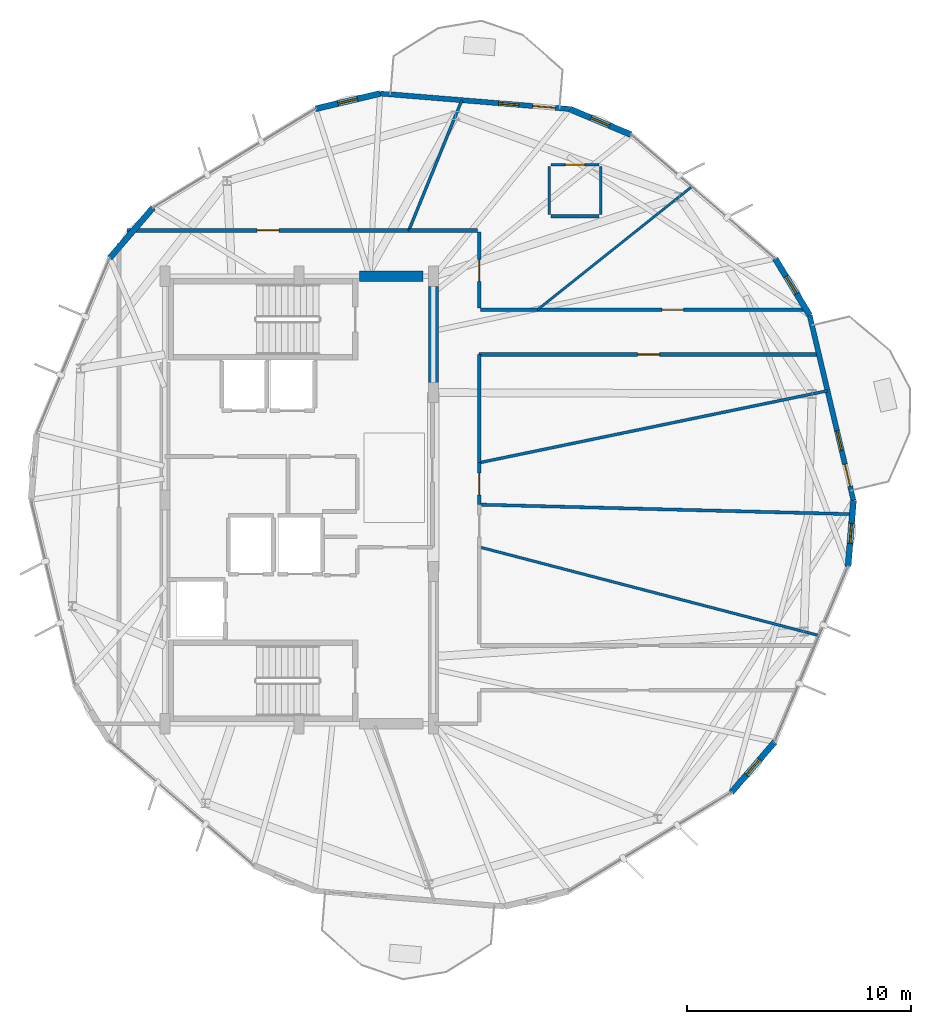
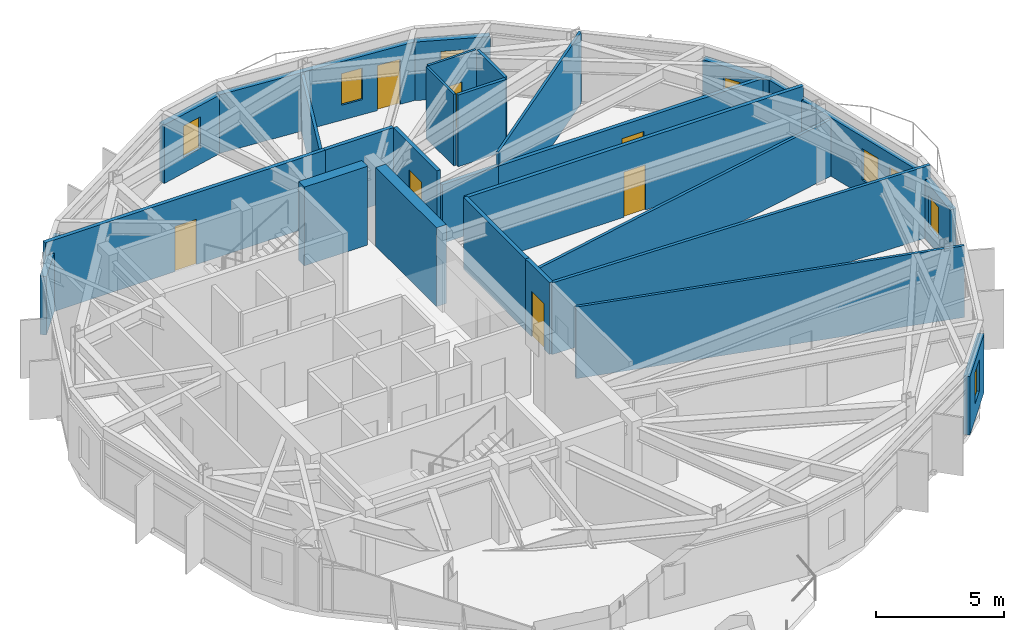
# One storey, part 19 of 23: 27 walls, 8 doors, 7 windows, 15 openings.
"""IFC4 building model written with IfcOpenShell, lengths in metres."""

from ifc_helpers import new_model, si_unit, direction, frame, frame_2d, origin, place, context, subcontext, project, spatial, rectangle, extrude, material, layer, layer_set, type_object, element, fill, save


model = new_model("IFC4")

# Units and contexts
model_context = context("Model", 3, precision=1e-05, world=origin(), true_north=direction((0.0, 1.0)))
body_context = subcontext(model_context, "Body", "Model", "MODEL_VIEW")
ifc_project = project(units=[si_unit("LENGTHUNIT", "METRE"), si_unit("AREAUNIT", "SQUARE_METRE"), si_unit("VOLUMEUNIT", "CUBIC_METRE"), si_unit("PLANEANGLEUNIT", "RADIAN"), si_unit("MASSUNIT", "GRAM", prefix="KILO")], contexts=[model_context])

# Site, building, storey
site_placement = place(None, origin())
site = spatial("IfcSite", under=ifc_project, at=site_placement, CompositionType="ELEMENT")
building_placement = place(site_placement, origin())
building = spatial("IfcBuilding", under=site, at=building_placement, Name="Soratama Intermodal Tower", CompositionType="ELEMENT")
storey_placement = place(building_placement, frame((0.0, 0.0, 280.0)))
storey = spatial("IfcBuildingStorey", under=building, at=storey_placement, Name="L71", CompositionType="ELEMENT", Elevation=280.0)

# Wall, openings, door, window
ifc_material_1 = material(Name="Concrete f'c 42 MPa", Category="concrete")
ifc_layer_1 = layer(ifc_material_1, 0.22998046875)
ifc_layer_set_1 = layer_set([ifc_layer_1], Name="Concrete f'c 42 MPa")
wall_type_1 = type_object("IfcWallType", Name="EW-BAL-230", PredefinedType="SOLIDWALL", material=ifc_layer_set_1)
wall_1_placement = place(storey_placement, frame((50.694580078125, 42.473388671875, 0.0), z_axis=(0.0, 0.0, 1.0), x_axis=(-0.996664954759, 0.081602499682, 0.0)))
wall_1 = element("IfcWall", 1, at=wall_1_placement, inside=storey, type_object=wall_type_1, Name="L71 Terrace Wall F01", PredefinedType="SOLIDWALL", context=body_context, shape_type="SweptSolid", body=[
    extrude(rectangle(XDim=8.499755859375, YDim=0.22998046875, at=frame_2d((4.25, 0.0))), origin(), (0.0, 0.0, 1.0), 2.7890625),
])
opening_1_placement = place(wall_1_placement, frame((0.64990234375, 0.0, 0.0)))
opening_1 = element("IfcOpeningElement", 2, at=opening_1_placement, cuts=wall_1, Name="Opening ED-2", PredefinedType="OPENING", context=body_context, shape_type="SweptSolid", body=[
    extrude(rectangle(XDim=1.0, YDim=2.14990234375, at=frame_2d((0.5, 1.074951171875))), frame((0.0, 0.125, 0.0), z_axis=(0.0, -1.0, 0.0), x_axis=(1.0, 0.0, 0.0)), (0.0, 0.0, 1.0), 0.25),
])
opening_2_placement = place(wall_1_placement, frame((2.2900390625, 0.0, 0.719970703125)))
opening_2 = element("IfcOpeningElement", 3, at=opening_2_placement, cuts=wall_1, Name="Opening WN-6", PredefinedType="OPENING", context=body_context, shape_type="SweptSolid", body=[
    extrude(rectangle(XDim=0.89990234375, YDim=1.5, at=frame_2d((0.449951171875, 0.75))), frame((0.0, 0.125, 0.0), z_axis=(0.0, -1.0, 0.0), x_axis=(1.0, 0.0, 0.0)), (0.0, 0.0, 1.0), 0.25),
])
ifc_material_2 = material(Name="Double-glazed aluminium door", Category="aluminium")
door_type_1 = type_object("IfcDoorType", Name="DR-BAL-1000", OperationType="NOTDEFINED", PredefinedType="DOOR", material=ifc_material_2)
door_1_placement = place(opening_1_placement, origin())
door_1 = element("IfcDoor", 4, at=door_1_placement, inside=storey, type_object=door_type_1, Name="L71 Balcony Door F01", OperationType="SINGLE_SWING_LEFT", OverallHeight=2.14990234375, OverallWidth=1.0, PredefinedType="DOOR", context=body_context, shape_type="SweptSolid", body=[
    extrude(rectangle(XDim=1.0, YDim=2.14990234375, at=frame_2d((0.5, 1.074951171875))), frame((0.0, 0.02490234375, 0.0), z_axis=(0.0, -1.0, 0.0), x_axis=(1.0, 0.0, 0.0)), (0.0, 0.0, 1.0), 0.050048828125),
])
fill(opening_1, door_1)
ifc_material_3 = material(Name="Double-glazed aluminium window", Category="aluminium")
window_type = type_object("IfcWindowType", Name="WN-FAC-900", PartitioningType="SINGLE_PANEL", PredefinedType="WINDOW", material=ifc_material_3)
window_1_placement = place(opening_2_placement, origin())
window_1 = element("IfcWindow", 5, at=window_1_placement, inside=storey, type_object=window_type, Name="L71 Window B F01", OverallHeight=1.5, OverallWidth=0.89990234375, PartitioningType="SINGLE_PANEL", PredefinedType="WINDOW", context=body_context, shape_type="SweptSolid", body=[
    extrude(rectangle(XDim=0.89990234375, YDim=1.5, at=frame_2d((0.449951171875, 0.75))), frame((0.0, 0.030029296875, 0.0), z_axis=(0.0, -1.0, 0.0), x_axis=(1.0, 0.0, 0.0)), (0.0, 0.0, 1.0), 0.06005859375),
])
fill(opening_2, window_1)

wall_2_placement = place(storey_placement, frame((63.3779296875, 24.98388671875, 0.0), z_axis=(0.0, 0.0, 1.0), x_axis=(-0.230391946718, 0.973097914337, 0.0)))
wall_2 = element("IfcWall", 6, at=wall_2_placement, inside=storey, type_object=wall_type_1, Name="L71 Terrace Wall F09", PredefinedType="SOLIDWALL", context=body_context, shape_type="SweptSolid", body=[
    extrude(rectangle(XDim=8.499755859375, YDim=0.22998046875, at=frame_2d((4.25, 0.0))), origin(), (0.0, 0.0, 1.0), 2.7890625),
])
opening_3_placement = place(wall_2_placement, frame((0.64990234375, 0.0, 0.0)))
opening_3 = element("IfcOpeningElement", 7, at=opening_3_placement, cuts=wall_2, Name="Opening ED-2", PredefinedType="OPENING", context=body_context, shape_type="SweptSolid", body=[
    extrude(rectangle(XDim=1.0, YDim=2.14990234375, at=frame_2d((0.5, 1.074951171875))), frame((0.0, 0.125, 0.0), z_axis=(0.0, -1.0, 0.0), x_axis=(1.0, 0.0, 0.0)), (0.0, 0.0, 1.0), 0.25),
])
opening_4_placement = place(wall_2_placement, frame((2.2900390625, 0.0, 0.719970703125)))
opening_4 = element("IfcOpeningElement", 8, at=opening_4_placement, cuts=wall_2, Name="Opening WN-6", PredefinedType="OPENING", context=body_context, shape_type="SweptSolid", body=[
    extrude(rectangle(XDim=0.89990234375, YDim=1.5, at=frame_2d((0.449951171875, 0.75))), frame((0.0, 0.125, 0.0), z_axis=(0.0, -1.0, 0.0), x_axis=(1.0, 0.0, 0.0)), (0.0, 0.0, 1.0), 0.25),
])
door_2_placement = place(opening_3_placement, origin())
door_2 = element("IfcDoor", 9, at=door_2_placement, inside=storey, type_object=door_type_1, Name="L71 Balcony Door F09", OperationType="SINGLE_SWING_LEFT", OverallHeight=2.14990234375, OverallWidth=1.0, PredefinedType="DOOR", context=body_context, shape_type="SweptSolid", body=[
    extrude(rectangle(XDim=1.0, YDim=2.14990234375, at=frame_2d((0.5, 1.074951171875))), frame((0.0, 0.02490234375, 0.0), z_axis=(0.0, -1.0, 0.0), x_axis=(1.0, 0.0, 0.0)), (0.0, 0.0, 1.0), 0.050048828125),
])
fill(opening_3, door_2)
window_2_placement = place(opening_4_placement, origin())
window_2 = element("IfcWindow", 10, at=window_2_placement, inside=storey, type_object=window_type, Name="L71 Window B F09", OverallHeight=1.5, OverallWidth=0.89990234375, PartitioningType="SINGLE_PANEL", PredefinedType="WINDOW", context=body_context, shape_type="SweptSolid", body=[
    extrude(rectangle(XDim=0.89990234375, YDim=1.5, at=frame_2d((0.449951171875, 0.75))), frame((0.0, 0.030029296875, 0.0), z_axis=(0.0, -1.0, 0.0), x_axis=(1.0, 0.0, 0.0)), (0.0, 0.0, 1.0), 0.06005859375),
])
fill(opening_4, window_2)

# Wall, opening, window
ifc_material_4 = material(Name="Concrete f'c 42 MPa", Category="concrete")
ifc_layer_2 = layer(ifc_material_4, 0.27001953125)
ifc_layer_set_2 = layer_set([ifc_layer_2], Name="Concrete f'c 42 MPa")
wall_type_2 = type_object("IfcWallType", Name="EW-CRN-270", PredefinedType="SOLIDWALL", material=ifc_layer_set_2)
wall_3_placement = place(storey_placement, frame((42.22314453125, 43.1669921875, 0.0), z_axis=(0.0, 0.0, 1.0), x_axis=(-0.973092427452, -0.230415120242, 0.0)))
wall_3 = element("IfcWall", 11, at=wall_3_placement, inside=storey, type_object=wall_type_2, Name="L71 Corner Closure Wall 01", PredefinedType="SOLIDWALL", context=body_context, shape_type="SweptSolid", body=[
    extrude(rectangle(XDim=2.966796875, YDim=0.27001953125, at=frame_2d((1.4833984375, 0.0))), origin(), (0.0, 0.0, 1.0), 2.7890625),
])
opening_5_placement = place(wall_3_placement, frame((1.033203125, 0.0, 0.75)))
opening_5 = element("IfcOpeningElement", 12, at=opening_5_placement, cuts=wall_3, Name="Opening WN-6", PredefinedType="OPENING", context=body_context, shape_type="SweptSolid", body=[
    extrude(rectangle(XDim=0.89990234375, YDim=1.5, at=frame_2d((0.449951171875, 0.75))), frame((0.0, 0.14501953125, 0.0), z_axis=(0.0, -1.0, 0.0), x_axis=(1.0, 0.0, 0.0)), (0.0, 0.0, 1.0), 0.2900390625),
])
window_3_placement = place(opening_5_placement, origin())
window_3 = element("IfcWindow", 13, at=window_3_placement, inside=storey, type_object=window_type, Name="L71 Corner Window 01", OverallHeight=1.5, OverallWidth=0.89990234375, PartitioningType="SINGLE_PANEL", PredefinedType="WINDOW", context=body_context, shape_type="SweptSolid", body=[
    extrude(rectangle(XDim=0.89990234375, YDim=1.5, at=frame_2d((0.449951171875, 0.75))), frame((0.0, 0.030029296875, 0.0), z_axis=(0.0, -1.0, 0.0), x_axis=(1.0, 0.0, 0.0)), (0.0, 0.0, 1.0), 0.06005859375),
])
fill(opening_5, window_3)

# Wall
wall_4_placement = place(storey_placement, frame((32.0751953125, 38.065185546875, 0.0), z_axis=(0.0, 0.0, 1.0), x_axis=(-0.651854753915, -0.758343840087, 0.0)))
element("IfcWall", 14, at=wall_4_placement, inside=storey, type_object=wall_type_2, Name="L71 Corner Closure Wall 02", PredefinedType="SOLIDWALL", context=body_context, shape_type="SweptSolid", body=[
    extrude(rectangle(XDim=2.966552734375, YDim=0.27001953125, at=frame_2d((1.4833984375, 0.0))), origin(), (0.0, 0.0, 1.0), 2.7890625),
])

# Wall, opening, window
wall_5_placement = place(storey_placement, frame((57.9248046875, 11.934814453125, 0.0), z_axis=(0.0, 0.0, 1.0), x_axis=(0.651854753915, 0.758343840087, 0.0)))
wall_5 = element("IfcWall", 15, at=wall_5_placement, inside=storey, type_object=wall_type_2, Name="L71 Corner Closure Wall 07", PredefinedType="SOLIDWALL", context=body_context, shape_type="SweptSolid", body=[
    extrude(rectangle(XDim=2.966552734375, YDim=0.27001953125, at=frame_2d((1.4833984375, 0.0))), origin(), (0.0, 0.0, 1.0), 2.7890625),
])
opening_6_placement = place(wall_5_placement, frame((1.033203125, 0.0, 0.75)))
opening_6 = element("IfcOpeningElement", 16, at=opening_6_placement, cuts=wall_5, Name="Opening WN-6", PredefinedType="OPENING", context=body_context, shape_type="SweptSolid", body=[
    extrude(rectangle(XDim=0.89990234375, YDim=1.5, at=frame_2d((0.449951171875, 0.75))), frame((0.0, 0.14501953125, 0.0), z_axis=(0.0, -1.0, 0.0), x_axis=(1.0, 0.0, 0.0)), (0.0, 0.0, 1.0), 0.2900390625),
])
window_4_placement = place(opening_6_placement, origin())
window_4 = element("IfcWindow", 17, at=window_4_placement, inside=storey, type_object=window_type, Name="L71 Corner Window 07", OverallHeight=1.5, OverallWidth=0.89990234375, PartitioningType="SINGLE_PANEL", PredefinedType="WINDOW", context=body_context, shape_type="SweptSolid", body=[
    extrude(rectangle(XDim=0.89990234375, YDim=1.5, at=frame_2d((0.449951171875, 0.75))), frame((0.0, 0.030029296875, 0.0), z_axis=(0.0, -1.0, 0.0), x_axis=(1.0, 0.0, 0.0)), (0.0, 0.0, 1.0), 0.06005859375),
])
fill(opening_6, window_4)

wall_6_placement = place(storey_placement, frame((63.135986328125, 22.027099609375, 0.0), z_axis=(0.0, 0.0, 1.0), x_axis=(0.081553869603, 0.99666893518, 0.0)))
wall_6 = element("IfcWall", 18, at=wall_6_placement, inside=storey, type_object=wall_type_2, Name="L71 Corner Closure Wall 08", PredefinedType="SOLIDWALL", context=body_context, shape_type="SweptSolid", body=[
    extrude(rectangle(XDim=2.966552734375, YDim=0.27001953125, at=frame_2d((1.4833984375, 0.0))), origin(), (0.0, 0.0, 1.0), 2.7890625),
])
opening_7_placement = place(wall_6_placement, frame((1.033203125, 0.0, 0.75)))
opening_7 = element("IfcOpeningElement", 19, at=opening_7_placement, cuts=wall_6, Name="Opening WN-6", PredefinedType="OPENING", context=body_context, shape_type="SweptSolid", body=[
    extrude(rectangle(XDim=0.89990234375, YDim=1.5, at=frame_2d((0.449951171875, 0.75))), frame((0.0, 0.14501953125, 0.0), z_axis=(0.0, -1.0, 0.0), x_axis=(1.0, 0.0, 0.0)), (0.0, 0.0, 1.0), 0.2900390625),
])
window_5_placement = place(opening_7_placement, origin())
window_5 = element("IfcWindow", 20, at=window_5_placement, inside=storey, type_object=window_type, Name="L71 Corner Window 08", OverallHeight=1.5, OverallWidth=0.89990234375, PartitioningType="SINGLE_PANEL", PredefinedType="WINDOW", context=body_context, shape_type="SweptSolid", body=[
    extrude(rectangle(XDim=0.89990234375, YDim=1.5, at=frame_2d((0.449951171875, 0.75))), frame((0.0, 0.030029296875, 0.0), z_axis=(0.0, -1.0, 0.0), x_axis=(1.0, 0.0, 0.0)), (0.0, 0.0, 1.0), 0.06005859375),
])
fill(opening_7, window_5)

wall_7_placement = place(storey_placement, frame((61.419677734375, 33.2548828125, 0.0), z_axis=(0.0, 0.0, 1.0), x_axis=(-0.51977462781, 0.854303421675, 0.0)))
wall_7 = element("IfcWall", 21, at=wall_7_placement, inside=storey, type_object=wall_type_2, Name="L71 Corner Closure Wall 09", PredefinedType="SOLIDWALL", context=body_context, shape_type="SweptSolid", body=[
    extrude(rectangle(XDim=2.966552734375, YDim=0.27001953125, at=frame_2d((1.4833984375, 0.0))), origin(), (0.0, 0.0, 1.0), 2.7890625),
])
opening_8_placement = place(wall_7_placement, frame((1.130615234375, 0.0, 0.75)))
opening_8 = element("IfcOpeningElement", 22, at=opening_8_placement, cuts=wall_7, Name="Opening WN-6", PredefinedType="OPENING", context=body_context, shape_type="SweptSolid", body=[
    extrude(rectangle(XDim=0.89990234375, YDim=1.5, at=frame_2d((0.449951171875, 0.75))), frame((0.0, 0.14501953125, 0.0), z_axis=(0.0, -1.0, 0.0), x_axis=(1.0, 0.0, 0.0)), (0.0, 0.0, 1.0), 0.2900390625),
])
window_6_placement = place(opening_8_placement, origin())
window_6 = element("IfcWindow", 23, at=window_6_placement, inside=storey, type_object=window_type, Name="L71 Corner Window 09", OverallHeight=1.5, OverallWidth=0.89990234375, PartitioningType="SINGLE_PANEL", PredefinedType="WINDOW", context=body_context, shape_type="SweptSolid", body=[
    extrude(rectangle(XDim=0.89990234375, YDim=1.5, at=frame_2d((0.449951171875, 0.75))), frame((0.0, 0.030029296875, 0.0), z_axis=(0.0, -1.0, 0.0), x_axis=(1.0, 0.0, 0.0)), (0.0, 0.0, 1.0), 0.06005859375),
])
fill(opening_8, window_6)

wall_8_placement = place(storey_placement, frame((53.431640625, 41.32958984375, 0.0), z_axis=(0.0, 0.0, 1.0), x_axis=(-0.922674655035, 0.385579409405, 0.0)))
wall_8 = element("IfcWall", 24, at=wall_8_placement, inside=storey, type_object=wall_type_2, Name="L71 Corner Closure Wall 10", PredefinedType="SOLIDWALL", context=body_context, shape_type="SweptSolid", body=[
    extrude(rectangle(XDim=2.966552734375, YDim=0.27001953125, at=frame_2d((1.4833984375, 0.0))), origin(), (0.0, 0.0, 1.0), 2.7890625),
])
opening_9_placement = place(wall_8_placement, frame((1.033203125, 0.0, 0.75)))
opening_9 = element("IfcOpeningElement", 25, at=opening_9_placement, cuts=wall_8, Name="Opening WN-6", PredefinedType="OPENING", context=body_context, shape_type="SweptSolid", body=[
    extrude(rectangle(XDim=0.89990234375, YDim=1.5, at=frame_2d((0.449951171875, 0.75))), frame((0.0, 0.14501953125, 0.0), z_axis=(0.0, -1.0, 0.0), x_axis=(1.0, 0.0, 0.0)), (0.0, 0.0, 1.0), 0.2900390625),
])
window_7_placement = place(opening_9_placement, origin())
window_7 = element("IfcWindow", 26, at=window_7_placement, inside=storey, type_object=window_type, Name="L71 Corner Window 10", OverallHeight=1.5, OverallWidth=0.89990234375, PartitioningType="SINGLE_PANEL", PredefinedType="WINDOW", context=body_context, shape_type="SweptSolid", body=[
    extrude(rectangle(XDim=0.89990234375, YDim=1.5, at=frame_2d((0.449951171875, 0.75))), frame((0.0, 0.030029296875, 0.0), z_axis=(0.0, -1.0, 0.0), x_axis=(1.0, 0.0, 0.0)), (0.0, 0.0, 1.0), 0.06005859375),
])
fill(opening_9, window_7)

# Wall, opening, door
ifc_material_5 = material(Name="Fire-rated gypsum stud partition", Category="concrete")
ifc_layer_3 = layer(ifc_material_5, 0.169921875)
ifc_layer_set_3 = layer_set([ifc_layer_3], Name="Fire-rated gypsum stud partition")
wall_type_3 = type_object("IfcWallType", Name="IW-PART-R170", PredefinedType="PARTITIONING", material=ifc_layer_set_3)
wall_9_placement = place(storey_placement, frame((61.8349609375, 31.5, 0.0), z_axis=(0.0, 0.0, 1.0), x_axis=(-1.0, 0.0, 0.0)))
wall_9 = element("IfcWall", 27, at=wall_9_placement, inside=storey, type_object=wall_type_3, Name="L71 Partition W-L71-TP005", PredefinedType="PARTITIONING", context=body_context, shape_type="SweptSolid", body=[
    extrude(rectangle(XDim=15.18505859375, YDim=0.169921875, at=frame_2d((7.592529296875, 0.0))), origin(), (0.0, 0.0, 1.0), 3.409912109375),
])
opening_10_placement = place(wall_9_placement, frame((7.117919921875, 0.0, 0.0)))
opening_10 = element("IfcOpeningElement", 28, at=opening_10_placement, cuts=wall_9, Name="Opening ID-5", PredefinedType="OPENING", context=body_context, shape_type="SweptSolid", body=[
    extrude(rectangle(XDim=0.97998046875, YDim=2.14990234375, at=frame_2d((0.489990234375, 1.074951171875))), frame((0.0, 0.094970703125, 0.0), z_axis=(0.0, -1.0, 0.0), x_axis=(1.0, 0.0, 0.0)), (0.0, 0.0, 1.0), 0.18994140625),
])
ifc_material_6 = material(Name="Solid hardwood acoustic door", Category="wood")
door_type_2 = type_object("IfcDoorType", Name="DR-OFF-980", OperationType="NOTDEFINED", PredefinedType="DOOR", material=ifc_material_6)
door_3_placement = place(opening_10_placement, origin())
door_3 = element("IfcDoor", 29, at=door_3_placement, inside=storey, type_object=door_type_2, Name="L71 Door D-L71-TP002", OperationType="SINGLE_SWING_LEFT", OverallHeight=2.14990234375, OverallWidth=0.97998046875, PredefinedType="DOOR", context=body_context, shape_type="SweptSolid", body=[
    extrude(rectangle(XDim=0.97998046875, YDim=2.14990234375, at=frame_2d((0.489990234375, 1.074951171875))), frame((0.0, 0.02490234375, 0.0), z_axis=(0.0, -1.0, 0.0), x_axis=(1.0, 0.0, 0.0)), (0.0, 0.0, 1.0), 0.050048828125),
])
fill(opening_10, door_3)

wall_10_placement = place(storey_placement, frame((30.903076171875, 37.050048828125, 0.0), z_axis=(0.0, 0.0, 1.0), x_axis=(1.0, 0.0, 0.0)))
wall_10 = element("IfcWall", 30, at=wall_10_placement, inside=storey, type_object=wall_type_3, Name="L71 Partition W-L71-TP008", PredefinedType="PARTITIONING", context=body_context, shape_type="SweptSolid", body=[
    extrude(rectangle(XDim=12.60400390625, YDim=0.169921875, at=frame_2d((6.302001953125, 0.0))), origin(), (0.0, 0.0, 1.0), 3.409912109375),
])
opening_11_placement = place(wall_10_placement, frame((5.826904296875, 0.0, 0.0)))
opening_11 = element("IfcOpeningElement", 31, at=opening_11_placement, cuts=wall_10, Name="Opening ID-5", PredefinedType="OPENING", context=body_context, shape_type="SweptSolid", body=[
    extrude(rectangle(XDim=0.97998046875, YDim=2.14990234375, at=frame_2d((0.489990234375, 1.074951171875))), frame((0.0, 0.094970703125, 0.0), z_axis=(0.0, -1.0, 0.0), x_axis=(1.0, 0.0, 0.0)), (0.0, 0.0, 1.0), 0.18994140625),
])
door_4_placement = place(opening_11_placement, origin())
door_4 = element("IfcDoor", 32, at=door_4_placement, inside=storey, type_object=door_type_2, Name="L71 Door D-L71-TP005", OperationType="SINGLE_SWING_RIGHT", OverallHeight=2.14990234375, OverallWidth=0.97998046875, PredefinedType="DOOR", context=body_context, shape_type="SweptSolid", body=[
    extrude(rectangle(XDim=0.97998046875, YDim=2.14990234375, at=frame_2d((0.489990234375, 1.074951171875))), frame((0.0, 0.02490234375, 0.0), z_axis=(0.0, -1.0, 0.0), x_axis=(1.0, 0.0, 0.0)), (0.0, 0.0, 1.0), 0.050048828125),
])
fill(opening_11, door_4)

wall_11_placement = place(storey_placement, frame((49.25390625, 33.5, 0.0), z_axis=(0.0, 0.0, 1.0), x_axis=(1.0, 0.0, 0.0)))
wall_11 = element("IfcWall", 33, at=wall_11_placement, inside=storey, type_object=wall_type_3, Name="L71 Partition W-L71-TP009", PredefinedType="PARTITIONING", context=body_context, shape_type="SweptSolid", body=[
    extrude(rectangle(XDim=12.065185546875, YDim=0.169921875, at=frame_2d((6.03271484375, 0.0))), origin(), (0.0, 0.0, 1.0), 2.7880859375),
])
opening_12_placement = place(wall_11_placement, frame((5.55810546875, 0.0, 0.0)))
opening_12 = element("IfcOpeningElement", 34, at=opening_12_placement, cuts=wall_11, Name="Opening ID-5", PredefinedType="OPENING", context=body_context, shape_type="SweptSolid", body=[
    extrude(rectangle(XDim=0.97998046875, YDim=2.14990234375, at=frame_2d((0.489990234375, 1.074951171875))), frame((0.0, 0.094970703125, 0.0), z_axis=(0.0, -1.0, 0.0), x_axis=(1.0, 0.0, 0.0)), (0.0, 0.0, 1.0), 0.18994140625),
])
door_5_placement = place(opening_12_placement, origin())
door_5 = element("IfcDoor", 35, at=door_5_placement, inside=storey, type_object=door_type_2, Name="L71 Door D-L71-TP006", OperationType="SINGLE_SWING_LEFT", OverallHeight=2.14990234375, OverallWidth=0.97998046875, PredefinedType="DOOR", context=body_context, shape_type="SweptSolid", body=[
    extrude(rectangle(XDim=0.97998046875, YDim=2.14990234375, at=frame_2d((0.489990234375, 1.074951171875))), frame((0.0, 0.02490234375, 0.0), z_axis=(0.0, -1.0, 0.0), x_axis=(1.0, 0.0, 0.0)), (0.0, 0.0, 1.0), 0.050048828125),
])
fill(opening_12, door_5)

# Wall
wall_12_placement = place(storey_placement, frame((46.64990234375, 31.5, 0.0), z_axis=(0.0, 0.0, 1.0), x_axis=(0.0, -1.0, 0.0)))
element("IfcWall", 36, at=wall_12_placement, inside=storey, type_object=wall_type_3, Name="L71 Partition W-L71-TP015", PredefinedType="PARTITIONING", context=body_context, shape_type="SweptSolid", body=[
    extrude(rectangle(XDim=4.8349609375, YDim=0.169921875, at=frame_2d((2.41748046875, 0.0))), origin(), (0.0, 0.0, 1.0), 3.409912109375),
])

# Wall, opening, door
wall_13_placement = place(storey_placement, frame((46.64990234375, 36.97998046875, 0.0), z_axis=(0.0, 0.0, 1.0), x_axis=(0.0, -1.0, 0.0)))
wall_13 = element("IfcWall", 37, at=wall_13_placement, inside=storey, type_object=wall_type_3, Name="L71 Partition W-L71-TP017", PredefinedType="PARTITIONING", context=body_context, shape_type="SweptSolid", body=[
    extrude(rectangle(XDim=3.409912109375, YDim=0.169921875, at=frame_2d((1.705078125, 0.0))), origin(), (0.0, 0.0, 1.0), 3.409912109375),
])
opening_13_placement = place(wall_13_placement, frame((1.22998046875, 0.0, 0.0)))
opening_13 = element("IfcOpeningElement", 38, at=opening_13_placement, cuts=wall_13, Name="Opening ID-5", PredefinedType="OPENING", context=body_context, shape_type="SweptSolid", body=[
    extrude(rectangle(XDim=0.97998046875, YDim=2.14990234375, at=frame_2d((0.489990234375, 1.074951171875))), frame((0.0, 0.094970703125, 0.0), z_axis=(0.0, -1.0, 0.0), x_axis=(1.0, 0.0, 0.0)), (0.0, 0.0, 1.0), 0.18994140625),
])
door_6_placement = place(opening_13_placement, origin())
door_6 = element("IfcDoor", 39, at=door_6_placement, inside=storey, type_object=door_type_2, Name="L71 Door D-L71-TP009", OperationType="SINGLE_SWING_RIGHT", OverallHeight=2.14990234375, OverallWidth=0.97998046875, PredefinedType="DOOR", context=body_context, shape_type="SweptSolid", body=[
    extrude(rectangle(XDim=0.97998046875, YDim=2.14990234375, at=frame_2d((0.489990234375, 1.074951171875))), frame((0.0, 0.02490234375, 0.0), z_axis=(0.0, -1.0, 0.0), x_axis=(1.0, 0.0, 0.0)), (0.0, 0.0, 1.0), 0.050048828125),
])
fill(opening_13, door_6)

# Walls
wall_14_placement = place(storey_placement, frame((43.507080078125, 37.050048828125, 0.0), z_axis=(0.0, 0.0, 1.0), x_axis=(1.0, 0.0, 0.0)))
element("IfcWall", 40, at=wall_14_placement, inside=storey, type_object=wall_type_3, Name="L71 Partition W-L71-TP020", PredefinedType="PARTITIONING", context=body_context, shape_type="SweptSolid", body=[
    extrude(rectangle(XDim=3.072998046875, YDim=0.169921875, at=frame_2d((1.53662109375, 0.0))), origin(), (0.0, 0.0, 1.0), 3.409912109375),
])
wall_15_placement = place(storey_placement, frame((46.719970703125, 33.5, 0.0), z_axis=(0.0, 0.0, 1.0), x_axis=(1.0, 0.0, 0.0)))
element("IfcWall", 41, at=wall_15_placement, inside=storey, type_object=wall_type_3, Name="L71 Partition W-L71-TP023", PredefinedType="PARTITIONING", context=body_context, shape_type="SweptSolid", body=[
    extrude(rectangle(XDim=2.533935546875, YDim=0.169921875, at=frame_2d((1.26708984375, 0.0))), origin(), (0.0, 0.0, 1.0), 2.7880859375),
])

# Wall, opening, door
wall_16_placement = place(storey_placement, frame((46.64990234375, 26.6650390625, 0.0), z_axis=(0.0, 0.0, 1.0), x_axis=(0.0, -1.0, 0.0)))
wall_16 = element("IfcWall", 42, at=wall_16_placement, inside=storey, type_object=wall_type_3, Name="L71 Partition W-L71-TP031", PredefinedType="PARTITIONING", context=body_context, shape_type="SweptSolid", body=[
    extrude(rectangle(XDim=1.87109375, YDim=0.169921875, at=frame_2d((0.935546875, 0.0))), origin(), (0.0, 0.0, 1.0), 3.409912109375),
])
opening_14_placement = place(wall_16_placement, frame((0.4599609375, 0.0, 0.0)))
opening_14 = element("IfcOpeningElement", 43, at=opening_14_placement, cuts=wall_16, Name="Opening ID-5", PredefinedType="OPENING", context=body_context, shape_type="SweptSolid", body=[
    extrude(rectangle(XDim=0.97998046875, YDim=2.14990234375, at=frame_2d((0.489990234375, 1.074951171875))), frame((0.0, 0.094970703125, 0.0), z_axis=(0.0, -1.0, 0.0), x_axis=(1.0, 0.0, 0.0)), (0.0, 0.0, 1.0), 0.18994140625),
])
door_7_placement = place(opening_14_placement, origin())
door_7 = element("IfcDoor", 44, at=door_7_placement, inside=storey, type_object=door_type_2, Name="L71 Door D-L71-TP014", OperationType="SINGLE_SWING_LEFT", OverallHeight=2.14990234375, OverallWidth=0.97998046875, PredefinedType="DOOR", context=body_context, shape_type="SweptSolid", body=[
    extrude(rectangle(XDim=0.97998046875, YDim=2.14990234375, at=frame_2d((0.489990234375, 1.074951171875))), frame((0.0, 0.02490234375, 0.0), z_axis=(0.0, -1.0, 0.0), x_axis=(1.0, 0.0, 0.0)), (0.0, 0.0, 1.0), 0.050048828125),
])
fill(opening_14, door_7)

# Walls
ifc_material_7 = material(Name="Fire-rated gypsum stud partition", Category="concrete")
ifc_layer_4 = layer(ifc_material_7, 0.10009765625)
ifc_layer_set_4 = layer_set([ifc_layer_4], Name="Fire-rated gypsum stud partition")
wall_type_4 = type_object("IfcWallType", Name="IW-PART-S100", PredefinedType="PARTITIONING", material=ifc_layer_set_4)
wall_17_placement = place(storey_placement, frame((49.782958984375, 39.912109375, 0.0), z_axis=(0.0, 0.0, 1.0), x_axis=(0.0, -1.0, 0.0)))
element("IfcWall", 45, at=wall_17_placement, inside=storey, type_object=wall_type_4, Name="L71 Partition W-L71-TP026", PredefinedType="PARTITIONING", context=body_context, shape_type="SweptSolid", body=[
    extrude(rectangle(XDim=2.16015625, YDim=0.10009765625, at=frame_2d((1.080078125, 0.0))), origin(), (0.0, 0.0, 1.0), 3.409912109375),
])
ifc_material_8 = material(Name="Fire-rated gypsum stud partition", Category="concrete")
ifc_layer_5 = layer(ifc_material_8, 0.110107421875)
ifc_layer_set_5 = layer_set([ifc_layer_5], Name="Fire-rated gypsum stud partition")
wall_type_5 = type_object("IfcWallType", Name="IW-PART-S110", PredefinedType="PARTITIONING", material=ifc_layer_set_5)
wall_18_placement = place(storey_placement, frame((49.25390625, 33.5, 0.0), z_axis=(0.0, 0.0, 1.0), x_axis=(0.781743502195, 0.623600109666, 0.0)))
element("IfcWall", 46, at=wall_18_placement, inside=storey, type_object=wall_type_5, Name="L71 Partition W-L71-TP010", PredefinedType="PARTITIONING", context=body_context, shape_type="SweptSolid", body=[
    extrude(rectangle(XDim=8.81494140625, YDim=0.110107421875, at=frame_2d((4.407470703125, 0.0))), origin(), (0.0, 0.0, 1.0), 3.409912109375),
])

# Wall, opening, door
wall_19_placement = place(storey_placement, frame((52.012939453125, 39.98193359375, 0.0), z_axis=(0.0, 0.0, 1.0), x_axis=(-1.0, 0.0, 0.0)))
wall_19 = element("IfcWall", 47, at=wall_19_placement, inside=storey, type_object=wall_type_5, Name="L71 Partition W-L71-TP025", PredefinedType="PARTITIONING", context=body_context, shape_type="SweptSolid", body=[
    extrude(rectangle(XDim=2.159912109375, YDim=0.110107421875, at=frame_2d((1.080078125, 0.0))), origin(), (0.0, 0.0, 1.0), 3.409912109375),
])
opening_15_placement = place(wall_19_placement, frame((0.655029296875, 0.0, 0.0)))
opening_15 = element("IfcOpeningElement", 48, at=opening_15_placement, cuts=wall_19, Name="Opening ID-4", PredefinedType="OPENING", context=body_context, shape_type="SweptSolid", body=[
    extrude(rectangle(XDim=0.85009765625, YDim=2.10009765625, at=frame_2d((0.425048828125, 1.050048828125))), frame((0.0, 0.06494140625, 0.0), z_axis=(0.0, -1.0, 0.0), x_axis=(1.0, 0.0, 0.0)), (0.0, 0.0, 1.0), 0.130126953125),
])
ifc_material_9 = material(Name="Solid hardwood acoustic door", Category="wood")
door_type_3 = type_object("IfcDoorType", Name="DR-BATH-850", OperationType="NOTDEFINED", PredefinedType="DOOR", material=ifc_material_9)
door_8_placement = place(opening_15_placement, origin())
door_8 = element("IfcDoor", 49, at=door_8_placement, inside=storey, type_object=door_type_3, Name="L71 Door D-L71-TP012", OperationType="SINGLE_SWING_LEFT", OverallHeight=2.10009765625, OverallWidth=0.85009765625, PredefinedType="DOOR", context=body_context, shape_type="SweptSolid", body=[
    extrude(rectangle(XDim=0.85009765625, YDim=2.10009765625, at=frame_2d((0.425048828125, 1.050048828125))), frame((0.0, 0.02490234375, 0.0), z_axis=(0.0, -1.0, 0.0), x_axis=(1.0, 0.0, 0.0)), (0.0, 0.0, 1.0), 0.050048828125),
])
fill(opening_15, door_8)

# Walls
ifc_material_10 = material(Name="Fire-rated gypsum stud partition", Category="concrete")
ifc_layer_6 = layer(ifc_material_10, 0.1201171875)
ifc_layer_set_6 = layer_set([ifc_layer_6], Name="Fire-rated gypsum stud partition")
wall_type_6 = type_object("IfcWallType", Name="IW-PART-S120", PredefinedType="PARTITIONING", material=ifc_layer_set_6)
wall_20_placement = place(storey_placement, frame((46.64990234375, 22.90087890625, 0.0), z_axis=(0.0, 0.0, 1.0), x_axis=(0.967667772628, -0.252228233586, 0.0)))
element("IfcWall", 50, at=wall_20_placement, inside=storey, type_object=wall_type_6, Name="L71 Partition W-L71-TP004", PredefinedType="PARTITIONING", context=body_context, shape_type="SweptSolid", body=[
    extrude(rectangle(XDim=15.703857421875, YDim=0.1201171875, at=frame_2d((7.85205078125, 0.0))), origin(), (0.0, 0.0, 1.0), 3.409912109375),
])
ifc_material_11 = material(Name="Fire-rated gypsum stud partition", Category="concrete")
ifc_layer_7 = layer(ifc_material_11, 0.1298828125)
ifc_layer_set_7 = layer_set([ifc_layer_7], Name="Fire-rated gypsum stud partition")
wall_type_7 = type_object("IfcWallType", Name="IW-PART-S130", PredefinedType="PARTITIONING", material=ifc_layer_set_7)
wall_21_placement = place(storey_placement, frame((46.64990234375, 26.6650390625, 0.0), z_axis=(0.0, 0.0, 1.0), x_axis=(0.97930966803, 0.202367423521, 0.0)))
element("IfcWall", 51, at=wall_21_placement, inside=storey, type_object=wall_type_7, Name="L71 Partition W-L71-TP003", PredefinedType="PARTITIONING", context=body_context, shape_type="SweptSolid", body=[
    extrude(rectangle(XDim=15.89697265625, YDim=0.1298828125, at=frame_2d((7.948486328125, 0.0))), origin(), (0.0, 0.0, 1.0), 2.705078125),
])
wall_22_placement = place(storey_placement, frame((43.507080078125, 37.050048828125, 0.0), z_axis=(0.0, 0.0, 1.0), x_axis=(0.377112931265, 0.926167283525, 0.0)))
element("IfcWall", 52, at=wall_22_placement, inside=storey, type_object=wall_type_7, Name="L71 Partition W-L71-TP013", PredefinedType="PARTITIONING", context=body_context, shape_type="SweptSolid", body=[
    extrude(rectangle(XDim=6.28173828125, YDim=0.1298828125, at=frame_2d((3.140869140625, 0.0))), origin(), (0.0, 0.0, 1.0), 2.705078125),
])
wall_23_placement = place(storey_placement, frame((52.0830078125, 37.751953125, 0.0), z_axis=(0.0, 0.0, 1.0), x_axis=(0.0, 1.0, 0.0)))
element("IfcWall", 53, at=wall_23_placement, inside=storey, type_object=wall_type_7, Name="L71 Partition W-L71-TP028", PredefinedType="PARTITIONING", context=body_context, shape_type="SweptSolid", body=[
    extrude(rectangle(XDim=2.16015625, YDim=0.1298828125, at=frame_2d((1.080078125, 0.0))), origin(), (0.0, 0.0, 1.0), 3.409912109375),
])
ifc_material_12 = material(Name="Fire-rated gypsum stud partition", Category="concrete")
ifc_layer_8 = layer(ifc_material_12, 0.139892578125)
ifc_layer_set_8 = layer_set([ifc_layer_8], Name="Fire-rated gypsum stud partition")
wall_type_8 = type_object("IfcWallType", Name="IW-PART-S140", PredefinedType="PARTITIONING", material=ifc_layer_set_8)
wall_24_placement = place(storey_placement, frame((63.425048828125, 24.364013671875, 0.0), z_axis=(0.0, 0.0, 1.0), x_axis=(-0.999671736729, 0.025620671048, 0.0)))
element("IfcWall", 54, at=wall_24_placement, inside=storey, type_object=wall_type_8, Name="L71 Partition W-L71-TP002", PredefinedType="PARTITIONING", context=body_context, shape_type="SweptSolid", body=[
    extrude(rectangle(XDim=16.78076171875, YDim=0.139892578125, at=frame_2d((8.390380859375, 0.0))), origin(), (0.0, 0.0, 1.0), 3.409912109375),
])
wall_25_placement = place(storey_placement, frame((49.85302734375, 37.681884765625, 0.0), z_axis=(0.0, 0.0, 1.0), x_axis=(1.0, 0.0, 0.0)))
element("IfcWall", 55, at=wall_25_placement, inside=storey, type_object=wall_type_8, Name="L71 Partition W-L71-TP027", PredefinedType="PARTITIONING", context=body_context, shape_type="SweptSolid", body=[
    extrude(rectangle(XDim=2.159912109375, YDim=0.139892578125, at=frame_2d((1.080078125, 0.0))), origin(), (0.0, 0.0, 1.0), 3.409912109375),
])
ifc_material_13 = material(Name="Concrete f'c 56 MPa", Category="concrete")
ifc_layer_9 = layer(ifc_material_13, 0.449951171875)
ifc_layer_set_9 = layer_set([ifc_layer_9], Name="Concrete f'c 56 MPa")
wall_type_9 = type_object("IfcWallType", Name="SW-CORE-450", PredefinedType="SHEAR", material=ifc_layer_set_9)
wall_26_placement = place(storey_placement, frame((41.300048828125, 35.0, 0.0), z_axis=(0.0, 0.0, 1.0), x_axis=(1.0, 0.0, 0.0)))
element("IfcWall", 56, at=wall_26_placement, inside=storey, type_object=wall_type_9, Name="L71 Core Shear Wall CW-NE", PredefinedType="SHEAR", context=body_context, shape_type="SweptSolid", body=[
    extrude(rectangle(XDim=2.849853515625, YDim=0.449951171875, at=frame_2d((1.4248046875, 0.0))), origin(), (0.0, 0.0, 1.0), 3.75),
])
wall_27_placement = place(storey_placement, frame((44.60009765625, 29.800048828125, 0.0), z_axis=(0.0, 0.0, 1.0), x_axis=(0.0, 1.0, 0.0)))
element("IfcWall", 57, at=wall_27_placement, inside=storey, type_object=wall_type_9, Name="L71 Core Shear Wall CW-EN", PredefinedType="SHEAR", context=body_context, shape_type="SweptSolid", body=[
    extrude(rectangle(XDim=4.75, YDim=0.449951171875, at=frame_2d((2.375, 0.0))), origin(), (0.0, 0.0, 1.0), 3.75),
])

save(model, "model.ifc")
